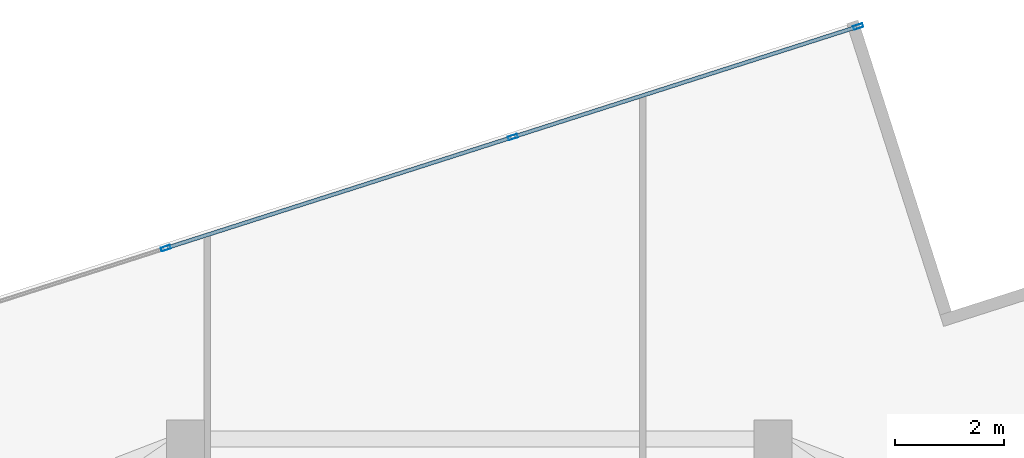
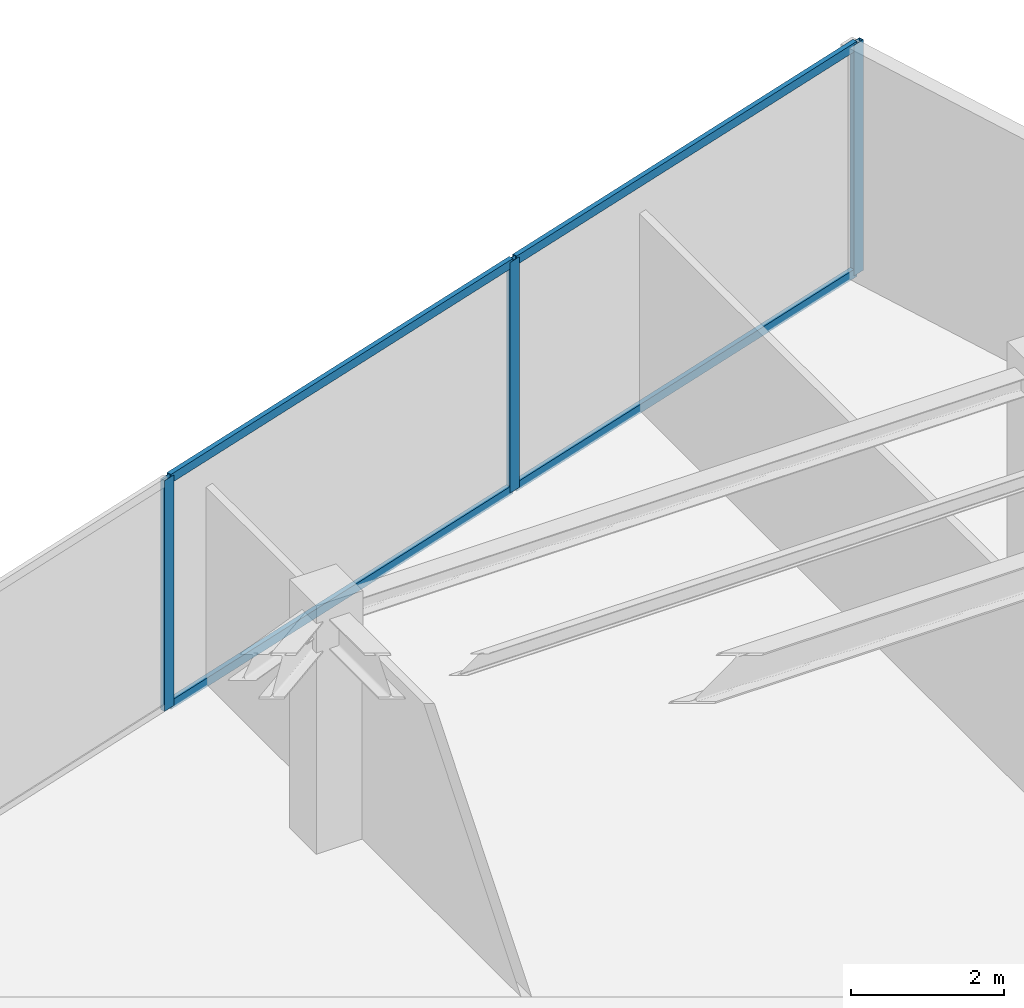
# One storey, part 15 of 21: 7 members, 1 element without a shape of its own.
"""IFC4 building model written with IfcOpenShell, lengths in metres."""

from ifc_helpers import new_model, si_unit, direction, frame, origin, origin_2d, place, context, subcontext, project, spatial, hollow_rectangle, extrude, source, transform, mapped, material, material_profile, profile_set, type_object, type_shapes, element, aggregate, save


model = new_model("IFC4")

# Units and contexts
model_context = context("Model", 3, precision=1e-05, world=origin(), true_north=direction((0.0, 1.0)))
body_context = subcontext(model_context, "Body", "Model", "MODEL_VIEW")
ifc_project = project(units=[si_unit("LENGTHUNIT", "METRE"), si_unit("AREAUNIT", "SQUARE_METRE"), si_unit("VOLUMEUNIT", "CUBIC_METRE"), si_unit("PLANEANGLEUNIT", "RADIAN"), si_unit("MASSUNIT", "GRAM", prefix="KILO")], contexts=[model_context])

# Site, building, storey
site_placement = place(None, origin())
site = spatial("IfcSite", under=ifc_project, at=site_placement, CompositionType="ELEMENT")
building_placement = place(site_placement, origin())
building = spatial("IfcBuilding", under=site, at=building_placement, Name="Krantzveldt Concourse Tower", CompositionType="ELEMENT")
storey_placement = place(building_placement, frame((0.0, 0.0, 343.5)))
storey = spatial("IfcBuildingStorey", under=building, at=storey_placement, Name="L84", CompositionType="ELEMENT", Elevation=343.5)

# Curtain wall, members
ifc_material = material(Name="Anodised aluminium 6063-T6", Category="aluminium")
curtain_wall_type = type_object("IfcCurtainWallType", Name="CW4", PredefinedType="USERDEFINED", material=ifc_material)
curtain_wall_placement = place(storey_placement, origin())
curtain_wall = element("IfcCurtainWall", 1, at=curtain_wall_placement, inside=storey, type_object=curtain_wall_type, Name="CW-L84-F01", ObjectType="UNITISED CURTAIN WALL", PredefinedType="USERDEFINED")
ifc_material_profile_1 = material_profile(ifc_material, hollow_rectangle(XDim=0.070068359375, YDim=0.179931640625, WallThickness=0.0048828125, at=origin_2d()), Name="Anodised aluminium 6063-T6", Category="aluminium")
ifc_profile_set_1 = profile_set([ifc_material_profile_1], Name="Anodised aluminium 6063-T6 - ALU-MULL 180x70x5")
member_type_1 = type_object("IfcMemberType", Name="CW-MUL-180", PredefinedType="MULLION", material=ifc_profile_set_1)
shared_shape_1 = source(origin(), body_context, "Body", "SweptSolid", [
    extrude(hollow_rectangle(XDim=0.070068359375, YDim=0.179931640625, WallThickness=0.0048828125, at=origin_2d()), origin(), (0.0, 0.0, 1.0), 3.669921875),
])
type_shapes(member_type_1, [shared_shape_1])
member_1_placement = place(storey_placement, frame((42.9638671875, 48.784423828125, 0.0), z_axis=(0.0, 0.0, 1.0), x_axis=(0.304864162408, -0.952395843376, 0.0)))
member_1 = element("IfcMember", 2, at=member_1_placement, type_object=member_type_1, Name="CW-Z56 mullion 1", PredefinedType="MULLION", context=body_context, shape_type="MappedRepresentation", body=[
    mapped(shared_shape_1, transform((0.0, 0.0, 0.0), x_axis=(1.0, 0.0, 0.0), y_axis=(0.0, 1.0, 0.0), z_axis=(0.0, 0.0, 1.0), scale=1.0)),
])
member_2_placement = place(storey_placement, frame((36.615966796875, 46.75244140625, 0.0), z_axis=(0.0, 0.0, 1.0), x_axis=(0.304864162408, -0.952395843376, 0.0)))
member_2 = element("IfcMember", 3, at=member_2_placement, type_object=member_type_1, Name="CW-Z56 mullion 2", PredefinedType="MULLION", context=body_context, shape_type="MappedRepresentation", body=[
    mapped(shared_shape_1, transform((0.0, 0.0, 0.0), x_axis=(1.0, 0.0, 0.0), y_axis=(0.0, 1.0, 0.0), z_axis=(0.0, 0.0, 1.0), scale=1.0)),
])
member_3_placement = place(storey_placement, frame((30.235107421875, 44.709716796875, 0.0), z_axis=(0.0, 0.0, 1.0), x_axis=(0.304864162408, -0.952395843376, 0.0)))
member_3 = element("IfcMember", 4, at=member_3_placement, type_object=member_type_1, Name="CW-Z56 mullion 3", PredefinedType="MULLION", context=body_context, shape_type="MappedRepresentation", body=[
    mapped(shared_shape_1, transform((0.0, 0.0, 0.0), x_axis=(1.0, 0.0, 0.0), y_axis=(0.0, 1.0, 0.0), z_axis=(0.0, 0.0, 1.0), scale=1.0)),
])
ifc_material_profile_2 = material_profile(ifc_material, hollow_rectangle(XDim=0.070068359375, YDim=0.139892578125, WallThickness=0.0048828125, at=origin_2d()), Name="Anodised aluminium 6063-T6", Category="aluminium")
ifc_profile_set_2 = profile_set([ifc_material_profile_2], Name="Anodised aluminium 6063-T6 - ALU-TRAN 140x70x5")
member_type_2 = type_object("IfcMemberType", Name="CW-TRN-150", PredefinedType="USERDEFINED", material=ifc_profile_set_2)
shared_shape_2 = source(origin(), body_context, "Body", "SweptSolid", [
    extrude(hollow_rectangle(XDim=0.070068359375, YDim=0.139892578125, WallThickness=0.0048828125, at=origin_2d()), origin(), (0.0, 0.0, 1.0), 6.594970703125),
])
member_4_placement = place(storey_placement, frame((42.930419921875, 48.773681640625, 0.034912109375), z_axis=(-0.952388034894, -0.304888555035, 0.0), x_axis=(0.304888555035, -0.952388034894, 0.0)))
member_4 = element("IfcMember", 5, at=member_4_placement, type_object=member_type_2, Name="CW-Z56 transom 1.1", ObjectType="TRANSOM", PredefinedType="USERDEFINED", context=body_context, shape_type="MappedRepresentation", body=[
    mapped(shared_shape_2, transform((0.0, 0.0, 0.0), x_axis=(1.0, 0.0, 0.0), y_axis=(0.0, 1.0, 0.0), z_axis=(0.0, 0.0, 1.0), scale=1.0)),
])
member_5_placement = place(storey_placement, frame((42.930419921875, 48.773681640625, 3.635009765625), z_axis=(-0.952388034894, -0.304888555035, 0.0), x_axis=(0.304888555035, -0.952388034894, 0.0)))
member_5 = element("IfcMember", 6, at=member_5_placement, type_object=member_type_2, Name="CW-Z56 transom 1.2", ObjectType="TRANSOM", PredefinedType="USERDEFINED", context=body_context, shape_type="MappedRepresentation", body=[
    mapped(shared_shape_2, transform((0.0, 0.0, 0.0), x_axis=(1.0, 0.0, 0.0), y_axis=(0.0, 1.0, 0.0), z_axis=(0.0, 0.0, 1.0), scale=1.0)),
])
shared_shape_3 = source(origin(), body_context, "Body", "SweptSolid", [
    extrude(hollow_rectangle(XDim=0.070068359375, YDim=0.139892578125, WallThickness=0.0048828125, at=origin_2d()), origin(), (0.0, 0.0, 1.0), 6.630126953125),
])
type_shapes(member_type_2, [shared_shape_2, shared_shape_3])
member_6_placement = place(storey_placement, frame((36.582763671875, 46.74169921875, 0.034912109375), z_axis=(-0.95239720744, -0.304859901036, 0.0), x_axis=(0.304859901036, -0.95239720744, 0.0)))
member_6 = element("IfcMember", 7, at=member_6_placement, type_object=member_type_2, Name="CW-Z56 transom 2.1", ObjectType="TRANSOM", PredefinedType="USERDEFINED", context=body_context, shape_type="MappedRepresentation", body=[
    mapped(shared_shape_3, transform((0.0, 0.0, 0.0), x_axis=(1.0, 0.0, 0.0), y_axis=(0.0, 1.0, 0.0), z_axis=(0.0, 0.0, 1.0), scale=1.0)),
])
member_7_placement = place(storey_placement, frame((36.582763671875, 46.74169921875, 3.635009765625), z_axis=(-0.95239720744, -0.304859901036, 0.0), x_axis=(0.304859901036, -0.95239720744, 0.0)))
member_7 = element("IfcMember", 8, at=member_7_placement, type_object=member_type_2, Name="CW-Z56 transom 2.2", ObjectType="TRANSOM", PredefinedType="USERDEFINED", context=body_context, shape_type="MappedRepresentation", body=[
    mapped(shared_shape_3, transform((0.0, 0.0, 0.0), x_axis=(1.0, 0.0, 0.0), y_axis=(0.0, 1.0, 0.0), z_axis=(0.0, 0.0, 1.0), scale=1.0)),
])
aggregate(curtain_wall, [member_1, member_2, member_3, member_4, member_5, member_6, member_7])

save(model, "model.ifc")
